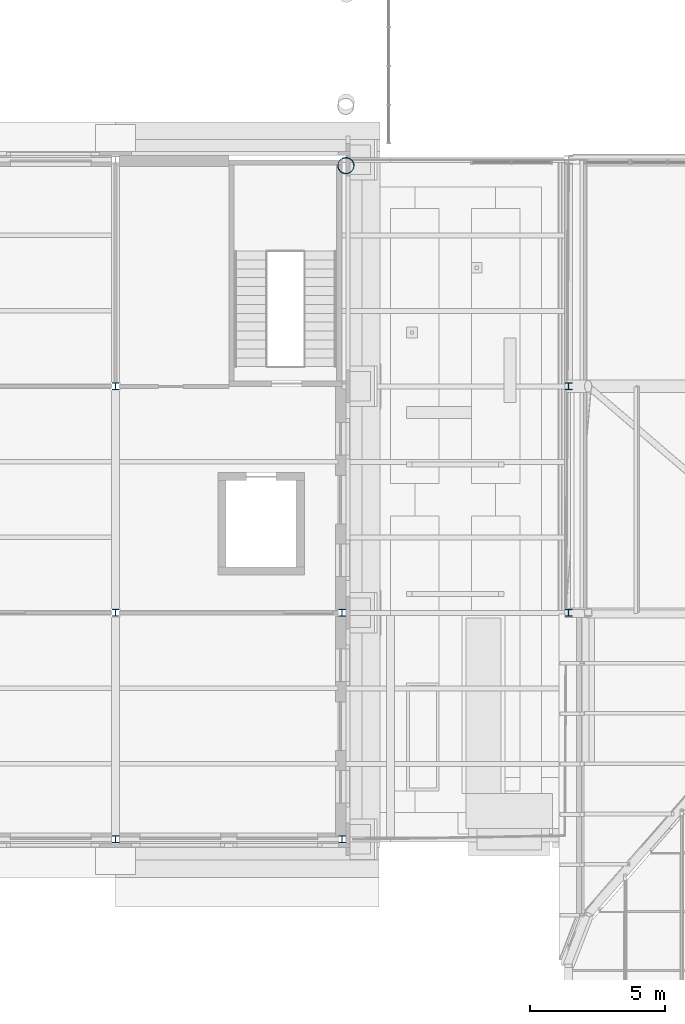
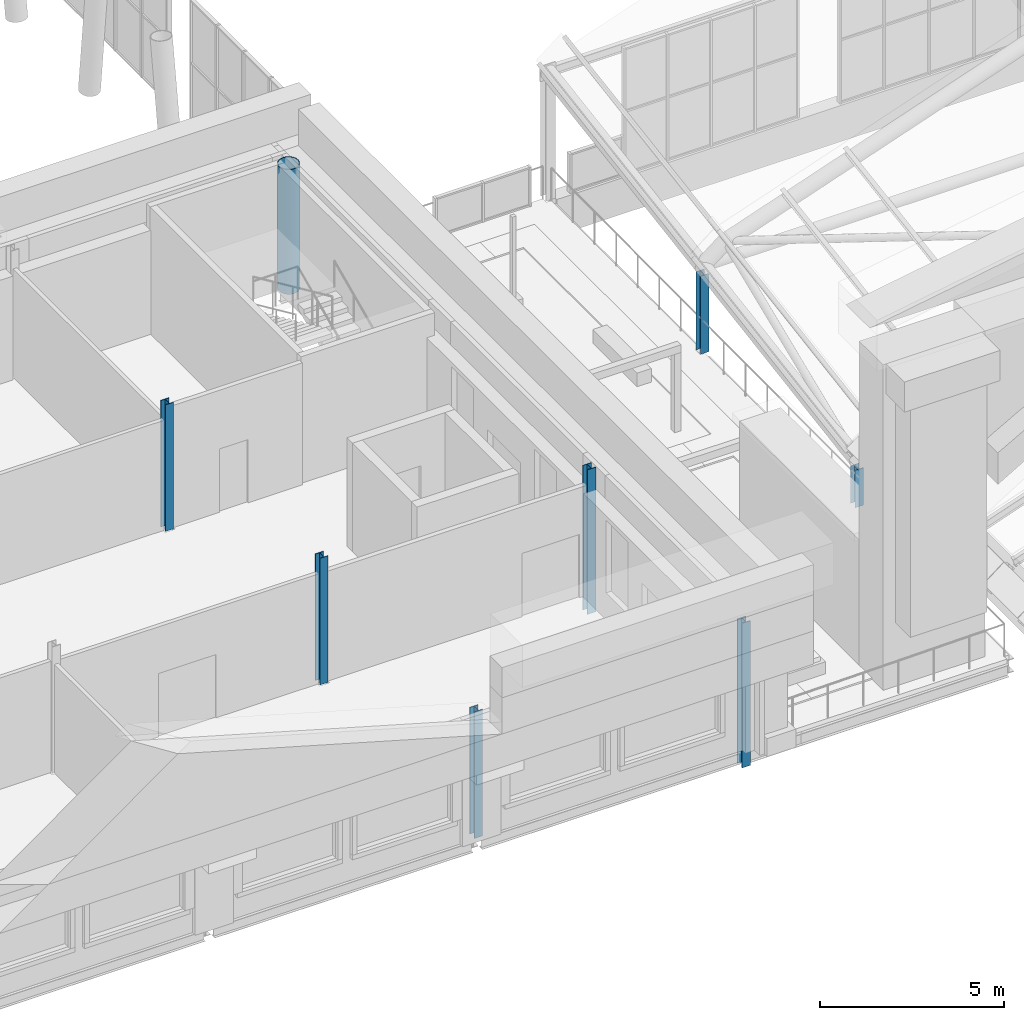
# One storey, part 2 of 76: 8 columns.
"""IFC4 building model written with IfcOpenShell, lengths in metres."""

from ifc_helpers import new_model, si_unit, direction, frame, origin, origin_2d, place, context, subcontext, project, spatial, hollow_circle, i_section, extrude, material, material_profile, profile_set, type_object, element, save


model = new_model("IFC4")

# Units and contexts
model_context = context("Model", 3, precision=1e-05, world=origin(), true_north=direction((0.0, 1.0)))
body_context = subcontext(model_context, "Body", "Model", "MODEL_VIEW")
ifc_project = project(units=[si_unit("LENGTHUNIT", "METRE"), si_unit("AREAUNIT", "SQUARE_METRE"), si_unit("VOLUMEUNIT", "CUBIC_METRE"), si_unit("PLANEANGLEUNIT", "RADIAN"), si_unit("MASSUNIT", "GRAM", prefix="KILO")], contexts=[model_context])

# Site, building, storey
site_placement = place(None, origin())
site = spatial("IfcSite", under=ifc_project, at=site_placement, CompositionType="ELEMENT")
building_placement = place(site_placement, origin())
building = spatial("IfcBuilding", under=site, at=building_placement, Name="Sava Quay Ferry Terminal", CompositionType="ELEMENT")
storey_placement = place(building_placement, frame((0.0, 0.0, 10.800048828125)))
storey = spatial("IfcBuildingStorey", under=building, at=storey_placement, Name="L02", CompositionType="ELEMENT", Elevation=10.800048828125)

# Columns
ifc_material_1 = material(Name="Steel S355", Category="steel")
ifc_material_profile_1 = material_profile(ifc_material_1, i_section(OverallWidth=0.260009765625, OverallDepth=0.260009765625, WebThickness=0.010009765625, FlangeThickness=0.017578125, at=origin_2d()), Name="HE 260 B")
ifc_profile_set_1 = profile_set([ifc_material_profile_1], Name="Steel S355")
column_type_1 = type_object("IfcColumnType", Name="Column HE 260 B", PredefinedType="COLUMN", material=ifc_profile_set_1)
for number, where, z_axis, x_axis, name in (
    (1, (33.60009765625, 25.199951171875, 0.0), (0.0, 0.0, 1.0), (1.0, 0.0, 0.0), "Column L02 33.6/25.2"),
    (2, (33.60009765625, 33.60009765625, 0.0), (0.0, 0.0, 1.0), (1.0, 0.0, 0.0), "Column L02 33.6/33.6"),
    (3, (33.60009765625, 42.0, 0.0), (0.0, 0.0, 1.0), (1.0, 0.0, 0.0), "Column L02 33.6/42"),
):
    element("IfcColumn", number, at=place(storey_placement, frame(where, z_axis=z_axis, x_axis=x_axis)), inside=storey, type_object=column_type_1, Name=name, PredefinedType="COLUMN", context=body_context, shape_type="SweptSolid", body=[
        extrude(i_section(OverallWidth=0.260009765625, OverallDepth=0.260009765625, WebThickness=0.010009765625, FlangeThickness=0.017578125, at=origin_2d()), origin(), (0.0, 0.0, 1.0), 4.199951171875),
    ])
for number, where, z_axis, x_axis, name in (
    (4, (42.0, 25.199951171875, -0.60009765625), (0.0, 0.0, 1.0), (1.0, 0.0, 0.0), "Column L02 42/25.2"),
    (5, (42.0, 33.60009765625, -0.60009765625), (0.0, 0.0, 1.0), (1.0, 0.0, 0.0), "Column L02 42/33.6"),
):
    element("IfcColumn", number, at=place(storey_placement, frame(where, z_axis=z_axis, x_axis=x_axis)), inside=storey, type_object=column_type_1, Name=name, PredefinedType="COLUMN", context=body_context, shape_type="SweptSolid", body=[
        extrude(i_section(OverallWidth=0.260009765625, OverallDepth=0.260009765625, WebThickness=0.010009765625, FlangeThickness=0.017578125, at=origin_2d()), origin(), (0.0, 0.0, 1.0), 4.800048828125),
    ])
column_1_placement = place(storey_placement, frame((50.39990234375, 33.60009765625, 0.0), z_axis=(0.0, 0.0, 1.0), x_axis=(1.0, 0.0, 0.0)))
element("IfcColumn", 6, at=column_1_placement, inside=storey, type_object=column_type_1, Name="Column L02 50.4/33.6", PredefinedType="COLUMN", context=body_context, shape_type="SweptSolid", body=[
    extrude(i_section(OverallWidth=0.260009765625, OverallDepth=0.260009765625, WebThickness=0.010009765625, FlangeThickness=0.017578125, at=origin_2d()), origin(), (0.0, 0.0, 1.0), 1.237548828125),
])
column_2_placement = place(storey_placement, frame((50.39990234375, 42.0, 0.0), z_axis=(0.0, 0.0, 1.0), x_axis=(1.0, 0.0, 0.0)))
element("IfcColumn", 7, at=column_2_placement, inside=storey, type_object=column_type_1, Name="Column L02 50.4/42", PredefinedType="COLUMN", context=body_context, shape_type="SweptSolid", body=[
    extrude(i_section(OverallWidth=0.260009765625, OverallDepth=0.260009765625, WebThickness=0.010009765625, FlangeThickness=0.017578125, at=origin_2d()), origin(), (0.0, 0.0, 1.0), 2.58642578125),
])
ifc_material_2 = material(Name="Steel S355", Category="steel")
ifc_material_profile_2 = material_profile(ifc_material_2, hollow_circle(Radius=0.304931640625, WallThickness=0.02001953125, at=origin_2d()), Name="CHS 610 x 20.0")
ifc_profile_set_2 = profile_set([ifc_material_profile_2], Name="Steel S355")
column_type_2 = type_object("IfcColumnType", Name="V column CHS 610x20", PredefinedType="COLUMN", material=ifc_profile_set_2)
column_3_placement = place(storey_placement, frame((42.15283203125, 50.1953125, 0.0), z_axis=(-0.012146421791, -0.016853886696, 0.999784182182), x_axis=(0.81126895419, -0.584673142847, 0.0)))
element("IfcColumn", 8, at=column_3_placement, inside=storey, type_object=column_type_2, Name="Departure hall V column D-VL0a part 3", PredefinedType="COLUMN", context=body_context, shape_type="SweptSolid", body=[
    extrude(hollow_circle(Radius=0.304931640625, WallThickness=0.02001953125, at=origin_2d()), origin(), (0.0, 0.0, 1.0), 4.200927734375),
])

save(model, "model.ifc")
